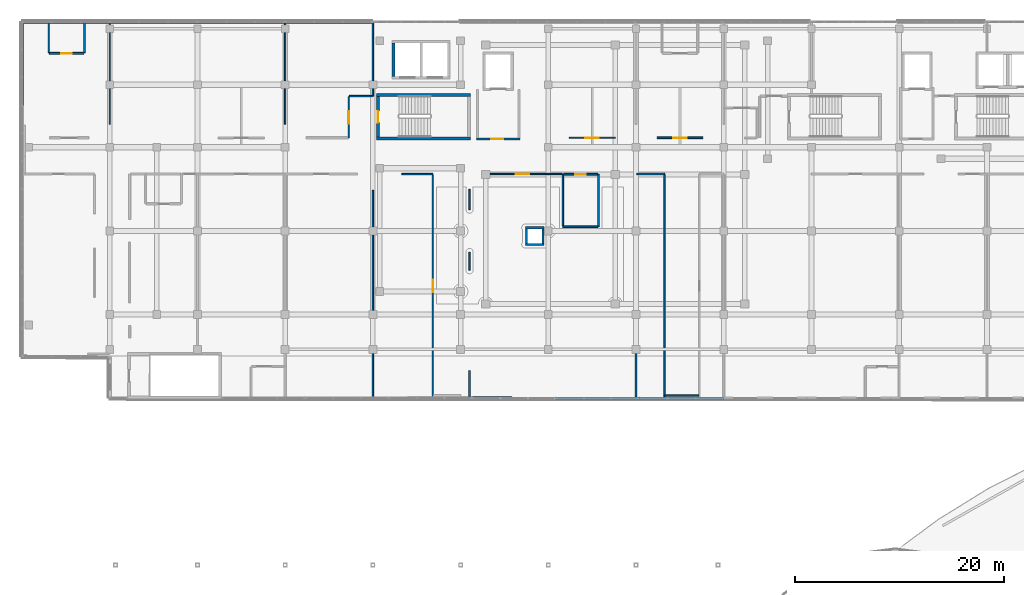
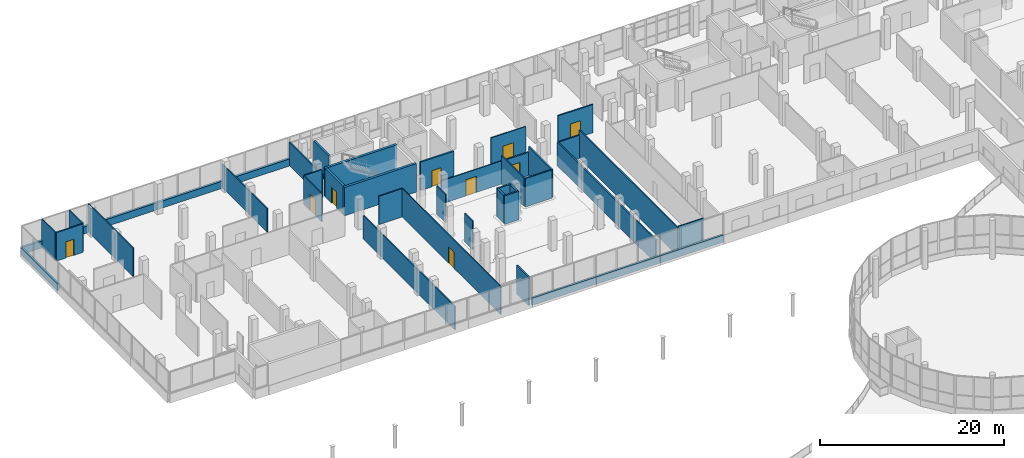
# One storey, part 85 of 101: 42 walls, 9 doors, 9 openings.
"""IFC4 building model written with IfcOpenShell, lengths in metres."""

import ifcopenshell
import ifcopenshell.guid

model = None  # the IFC model being written
_history = None  # IfcOwnerHistory: only IFC2X3 demands one
_inside = {}  # id of a spatial element -> (the spatial element, [elements in it])
_under = {}  # id of a project, library or spatial element -> (it, [spatial elements below it])
_declared = {}  # id of a project -> (the project, [libraries it declares])
_typed = {}  # id of a type object -> (the type object, [elements of that type])
_made_of = {}  # id of a material, layer set ... -> (it, [elements and type objects made of it])


def new_model(schema):
    """Start an empty IFC model of exactly this schema.

    Asked for "IFC4X3", IfcOpenShell would pick the latest addendum, in which some entities
    have other attributes; the version numbers below select the first issue.
    IFC2X3 requires an IfcOwnerHistory on every rooted entity: one is made here for all.
    """
    global model, _history
    if schema == "IFC4X3":
        model = ifcopenshell.file(schema_version=(4, 3, 0, 0))
    else:
        model = ifcopenshell.file(schema=schema)
    _inside.clear()
    _under.clear()
    _declared.clear()
    _typed.clear()
    _made_of.clear()
    _history = None
    if model.schema == "IFC2X3":
        org = make("IfcOrganization", Name="unknown")
        user = make(
            "IfcPersonAndOrganization",
            ThePerson=make("IfcPerson", FamilyName="unknown"),
            TheOrganization=org,
        )
        app = make(
            "IfcApplication",
            ApplicationDeveloper=org,
            Version="unknown",
            ApplicationFullName="unknown",
            ApplicationIdentifier="unknown",
        )
        _history = make(
            "IfcOwnerHistory",
            OwningUser=user,
            OwningApplication=app,
            ChangeAction="ADDED",
            CreationDate=0,
        )
    return model


def make(cls, **values):
    """One entity of the class cls with the attributes given. An attribute that is None is left unset."""
    return model.create_entity(
        cls, **{name: value for name, value in values.items() if value is not None}
    )


def rooted(cls, **values):
    """An entity with a GlobalId (a new one), such as an element, a storey or a relation."""
    return make(cls, GlobalId=ifcopenshell.guid.new(), OwnerHistory=_history, **values)


def si_unit(unit_type, name, prefix=None):
    """IfcSIUnit, for example si_unit("LENGTHUNIT", "METRE", prefix="MILLI")."""
    return make("IfcSIUnit", UnitType=unit_type, Prefix=prefix, Name=name)


def assignment(units):
    """IfcUnitAssignment: the units of a project."""
    return None if units is None else make("IfcUnitAssignment", Units=units)


def point(xyz):
    """IfcCartesianPoint."""
    return None if xyz is None else make("IfcCartesianPoint", Coordinates=xyz)


def direction(xyz):
    """IfcDirection."""
    return None if xyz is None else make("IfcDirection", DirectionRatios=xyz)


def frame(location, z_axis=None, x_axis=None):
    """IfcAxis2Placement3D, a coordinate frame: its origin and axes. An axis left out is left unset."""
    return make(
        "IfcAxis2Placement3D",
        Location=point(location),
        Axis=direction(z_axis),
        RefDirection=direction(x_axis),
    )


def frame_2d(location, x_axis=None):
    """IfcAxis2Placement2D, a coordinate frame in the plane: its origin and x axis."""
    return make(
        "IfcAxis2Placement2D", Location=point(location), RefDirection=direction(x_axis)
    )


def origin():
    """The frame at (0, 0, 0) with its axes left unset."""
    return frame((0.0, 0.0, 0.0))


def place(relative_to, where):
    """IfcLocalPlacement: puts the frame where relative to a parent placement (None: the world)."""
    return make(
        "IfcLocalPlacement", PlacementRelTo=relative_to, RelativePlacement=where
    )


def context(
    kind, dimensions, precision=None, world=None, true_north=None, identifier=None
):
    """IfcGeometricRepresentationContext, for example the 3D "Model" context."""
    return make(
        "IfcGeometricRepresentationContext",
        ContextIdentifier=identifier,
        ContextType=kind,
        CoordinateSpaceDimension=dimensions,
        Precision=precision,
        WorldCoordinateSystem=world,
        TrueNorth=true_north,
    )


def subcontext(parent, identifier, kind, view, scale=None):
    """IfcGeometricRepresentationSubContext, for example "Body" below "Model"."""
    return make(
        "IfcGeometricRepresentationSubContext",
        ContextIdentifier=identifier,
        ContextType=kind,
        ParentContext=parent,
        TargetScale=scale,
        TargetView=view,
    )


def project(units=None, contexts=None):
    """IfcProject with its units and contexts."""
    return rooted(
        "IfcProject",
        Name="project",
        RepresentationContexts=contexts,
        UnitsInContext=assignment(units),
    )


def spatial(cls, under=None, at=None, **own):
    """A site, building, storey or space (cls), placed at a placement, below another one or the project."""
    s = rooted(cls, ObjectPlacement=at, **own)
    if under is not None:
        _under.setdefault(under.id(), (under, []))[1].append(s)
    return s


def profile(cls, at=None, kind="AREA", **sizes):
    """A parametric profile (cls). Its sizes go by their IFC names, for example OverallWidth=200.0."""
    return make(cls, ProfileType=kind, Position=at, **sizes)


def rectangle(**sizes):
    """IfcRectangleProfileDef."""
    return profile("IfcRectangleProfileDef", **sizes)


def extrude(swept, where, along, depth):
    """IfcExtrudedAreaSolid: the profile swept, set in the frame where, extruded along a direction by depth."""
    return make(
        "IfcExtrudedAreaSolid",
        SweptArea=swept,
        Position=where,
        ExtrudedDirection=direction(along),
        Depth=depth,
    )


def shape(context_of_items, identifier, shape_type, items):
    """IfcShapeRepresentation: the items that make up one representation, for example the "Body"."""
    return make(
        "IfcShapeRepresentation",
        ContextOfItems=context_of_items,
        RepresentationIdentifier=identifier,
        RepresentationType=shape_type,
        Items=items,
    )


def material(Name=None, Category=None):
    """IfcMaterial."""
    return make("IfcMaterial", Name=Name, Category=Category)


def layer(
    of_material, thickness, ventilated=None, Name=None, Category=None, Priority=None
):
    """IfcMaterialLayer: one layer of a wall or slab, of a material (None: an air gap)."""
    return make(
        "IfcMaterialLayer",
        Material=of_material,
        LayerThickness=thickness,
        IsVentilated=ventilated,
        Name=Name,
        Category=Category,
        Priority=Priority,
    )


def layer_set(layers, Name=None):
    """IfcMaterialLayerSet."""
    return make("IfcMaterialLayerSet", MaterialLayers=layers, LayerSetName=Name)


def made_of(thing, what):
    """Note that an element or type object is made of a material, layer set ...; save() writes the relation."""
    if what is not None:
        _made_of.setdefault(what.id(), (what, []))[1].append(thing)
    return thing


def type_object(cls, material=None, **own):
    """A type object (cls), such as IfcWallType, which elements share."""
    return made_of(rooted(cls, **own), material)


def element(
    cls,
    number,
    at=None,
    inside=None,
    cuts=None,
    type_object=None,
    material=None,
    context=None,
    identifier="Body",
    shape_type=None,
    held_by="IfcProductDefinitionShape",
    body=None,
    shapes=None,
    **own,
):
    """One element of the class cls, such as IfcWall. Its Tag is "e" and its number.

    at: its placement. inside: the storey or other place that contains it. cuts: it is an
    opening in that element (IfcRelVoidsElement). A single representation is given by context,
    identifier, shape_type and body (its items); several are given by shapes. held_by: the class
    of the entity that holds the representations. save() writes the other relations.
    """
    e = rooted(cls, Tag="e%d" % number, ObjectPlacement=at, **own)
    if body is not None:
        shapes = [shape(context, identifier, shape_type, body)]
    if shapes is not None:
        e.Representation = make(held_by, Representations=shapes)
    if inside is not None:
        _inside.setdefault(inside.id(), (inside, []))[1].append(e)
    if cuts is not None:
        rooted(
            "IfcRelVoidsElement", RelatingBuildingElement=cuts, RelatedOpeningElement=e
        )
    if type_object is not None:
        _typed.setdefault(type_object.id(), (type_object, []))[1].append(e)
    return made_of(e, material)


def fill(opening, filler):
    """IfcRelFillsElement: the door or window that sits in an opening."""
    return rooted(
        "IfcRelFillsElement",
        RelatingOpeningElement=opening,
        RelatedBuildingElement=filler,
    )


def aggregate(whole, parts):
    """IfcRelAggregates: a whole, such as a stair, and the parts it consists of."""
    return rooted("IfcRelAggregates", RelatingObject=whole, RelatedObjects=parts)


def save(model, path):
    """Write the relations noted so far, then the file.

    IfcRelAggregates (storeys below a building ...), IfcRelContainedInSpatialStructure (elements
    in a storey), IfcRelDefinesByType, IfcRelAssociatesMaterial and IfcRelDeclares: one each for
    every whole, place, type object, material and project.
    """
    for whole, parts in _under.values():
        aggregate(whole, parts)
    for where, things in _inside.values():
        rooted(
            "IfcRelContainedInSpatialStructure",
            RelatedElements=things,
            RelatingStructure=where,
        )
    for kind, things in _typed.values():
        rooted("IfcRelDefinesByType", RelatedObjects=things, RelatingType=kind)
    for what, things in _made_of.values():
        rooted("IfcRelAssociatesMaterial", RelatedObjects=things, RelatingMaterial=what)
    for by, libraries in _declared.values():
        rooted("IfcRelDeclares", RelatingContext=by, RelatedDefinitions=libraries)
    model.write(path)


model = new_model("IFC4")

# Units and contexts
model_context = context("Model", 3, precision=1e-05, world=origin(), true_north=direction((0.0, 1.0)))
body_context = subcontext(model_context, "Body", "Model", "MODEL_VIEW")
ifc_project = project(units=[si_unit("LENGTHUNIT", "METRE"), si_unit("AREAUNIT", "SQUARE_METRE"), si_unit("VOLUMEUNIT", "CUBIC_METRE"), si_unit("PLANEANGLEUNIT", "RADIAN"), si_unit("MASSUNIT", "GRAM", prefix="KILO")], contexts=[model_context])

# Site, building, storey
site_placement = place(None, origin())
site = spatial("IfcSite", under=ifc_project, at=site_placement, CompositionType="ELEMENT")
building_placement = place(site_placement, origin())
building = spatial("IfcBuilding", under=site, at=building_placement, Name="Selatvlak General Hospital", CompositionType="ELEMENT")
storey_placement = place(building_placement, frame((0.0, 0.0, 19.199951171875)))
storey = spatial("IfcBuildingStorey", under=building, at=storey_placement, Name="L04", CompositionType="ELEMENT", Elevation=19.199951171875)

# Walls
ifc_material_1 = material(Name="Precast concrete C40/50 - white Bauhaus spandrel", Category="concrete")
ifc_layer_1 = layer(ifc_material_1, 0.280029296875, Name="Precast concrete C40/50 - white Bauhaus spandrel", Category="concrete")
ifc_layer_set_1 = layer_set([ifc_layer_1], Name="Precast concrete C40/50 - white Bauhaus spandrel")
wall_type_1 = type_object("IfcWallType", Name="WALL-EW-02", PredefinedType="SOLIDWALL", material=ifc_layer_set_1)
wall_1_placement = place(storey_placement, frame((14.39990234375, 112.0009765625, 0.0), z_axis=(0.0, 0.0, 1.0), x_axis=(0.0, 1.0, 0.0)))
element("IfcWall", 1, at=wall_1_placement, inside=storey, type_object=wall_type_1, Name="L04 Bauhaus spandrel sill wall 0429", PredefinedType="SOLIDWALL", context=body_context, shape_type="SweptSolid", body=[
    extrude(rectangle(XDim=7.85791015625, YDim=0.280029296875, at=frame_2d((3.928955078125, 0.0))), origin(), (0.0, 0.0, 1.0), 0.93994140625),
])
wall_2_placement = place(storey_placement, frame((14.5400390625, 119.9990234375, 0.0), z_axis=(0.0, 0.0, 1.0), x_axis=(1.0, 0.0, 0.0)))
element("IfcWall", 2, at=wall_2_placement, inside=storey, type_object=wall_type_1, Name="L04 Bauhaus spandrel sill wall 0430", PredefinedType="SOLIDWALL", context=body_context, shape_type="SweptSolid", body=[
    extrude(rectangle(XDim=8.238037109375, YDim=0.280029296875, at=frame_2d((4.119140625, 0.0))), origin(), (0.0, 0.0, 1.0), 0.93994140625),
])
for number, where, z_axis, x_axis, name in (
    (3, (22.781982421875, 119.9990234375, 0.0), (0.0, 0.0, 1.0), (1.0, 0.0, 0.0), "L04 Bauhaus spandrel sill wall 0431"),
    (4, (31.162109375, 119.9990234375, 0.0), (0.0, 0.0, 1.0), (1.0, 0.0, 0.0), "L04 Bauhaus spandrel sill wall 0432"),
    (5, (39.5419921875, 119.9990234375, 0.0), (0.0, 0.0, 1.0), (1.0, 0.0, 0.0), "L04 Bauhaus spandrel sill wall 0433"),
):
    element("IfcWall", number, at=place(storey_placement, frame(where, z_axis=z_axis, x_axis=x_axis)), inside=storey, type_object=wall_type_1, Name=name, PredefinedType="SOLIDWALL", context=body_context, shape_type="SweptSolid", body=[
        extrude(rectangle(XDim=8.3759765625, YDim=0.280029296875, at=frame_2d((4.18798828125, 0.0))), origin(), (0.0, 0.0, 1.0), 0.93994140625),
    ])
wall_3_placement = place(storey_placement, frame((81.56591796875, 83.9609375, 0.0), z_axis=(0.0, 0.0, 1.0), x_axis=(-0.999999794844, 0.000640556238, 0.0)))
element("IfcWall", 6, at=wall_3_placement, inside=storey, type_object=wall_type_1, Name="L04 Bauhaus spandrel sill wall 0467", PredefinedType="SOLIDWALL", context=body_context, shape_type="SweptSolid", body=[
    extrude(rectangle(XDim=8.00390625, YDim=0.280029296875, at=frame_2d((4.001953125, 0.0))), origin(), (0.0, 0.0, 1.0), 0.93994140625),
])
for number, where, z_axis, x_axis, name in (
    (7, (73.55810546875, 83.966064453125, 0.0), (0.0, 0.0, 1.0), (-0.999999732057, 0.000732041896, 0.0), "L04 Bauhaus spandrel sill wall 0468"),
    (8, (65.550048828125, 83.971923828125, 0.0), (0.0, 0.0, 1.0), (-0.999999794856, 0.000640536699, 0.0), "L04 Bauhaus spandrel sill wall 0469"),
):
    element("IfcWall", number, at=place(storey_placement, frame(where, z_axis=z_axis, x_axis=x_axis)), inside=storey, type_object=wall_type_1, Name=name, PredefinedType="SOLIDWALL", context=body_context, shape_type="SweptSolid", body=[
        extrude(rectangle(XDim=8.004150390625, YDim=0.280029296875, at=frame_2d((4.001953125, 0.0))), origin(), (0.0, 0.0, 1.0), 0.93994140625),
    ])

# Wall, opening, door
ifc_material_2 = material(Name="Concrete C40/50", Category="concrete")
ifc_layer_2 = layer(ifc_material_2, 0.199951171875, Name="Concrete C40/50", Category="concrete")
ifc_layer_set_2 = layer_set([ifc_layer_2], Name="Concrete C40/50")
wall_type_2 = type_object("IfcWallType", Name="WALL-IW-02", PredefinedType="SOLIDWALL", material=ifc_layer_set_2)
wall_4_placement = place(storey_placement, frame((57.89990234375, 108.800048828125, 0.0), z_axis=(0.0, 0.0, 1.0), x_axis=(1.0, 0.0, 0.0)))
wall_4 = element("IfcWall", 9, at=wall_4_placement, inside=storey, type_object=wall_type_2, Name="Firefighting lobby C1 wall L04 S", PredefinedType="SOLIDWALL", context=body_context, shape_type="SweptSolid", body=[
    extrude(rectangle(XDim=4.2001953125, YDim=0.199951171875, at=frame_2d((2.10009765625, 0.0))), origin(), (0.0, 0.0, 1.0), 3.77001953125),
])
opening_1_placement = place(wall_4_placement, frame((1.425048828125, 0.0, 0.0)))
opening_1 = element("IfcOpeningElement", 10, at=opening_1_placement, cuts=wall_4, Name="Opening D-06", PredefinedType="OPENING", context=body_context, shape_type="SweptSolid", body=[
    extrude(rectangle(XDim=1.14990234375, YDim=2.14990234375, at=frame_2d((0.574951171875, 1.074951171875))), frame((0.0, 0.10986328125, 0.0), z_axis=(0.0, -1.0, 0.0), x_axis=(1.0, 0.0, 0.0)), (0.0, 0.0, 1.0), 0.219970703125),
])
ifc_material_3 = material(Name="Firefighting lobby fire door")
door_type_1 = type_object("IfcDoorType", Name="DOOR-D-06", OperationType="NOTDEFINED", PredefinedType="DOOR", material=ifc_material_3)
door_1_placement = place(opening_1_placement, origin())
door_1 = element("IfcDoor", 11, at=door_1_placement, inside=storey, type_object=door_type_1, Name="Firefighting lobby C1 door on L04", OperationType="SINGLE_SWING_LEFT", OverallHeight=2.14990234375, OverallWidth=1.14990234375, PredefinedType="DOOR", context=body_context, shape_type="SweptSolid", body=[
    extrude(rectangle(XDim=1.14990234375, YDim=2.14990234375, at=frame_2d((0.574951171875, 1.074951171875))), frame((0.0, 0.02490234375, 0.0), z_axis=(0.0, -1.0, 0.0), x_axis=(1.0, 0.0, 0.0)), (0.0, 0.0, 1.0), 0.050048828125),
])
fill(opening_1, door_1)

# Walls
wall_5_placement = place(storey_placement, frame((62.60009765625, 98.699951171875, 0.0), z_axis=(0.0, 0.0, 1.0), x_axis=(1.0, 0.0, 0.0)))
element("IfcWall", 12, at=wall_5_placement, inside=storey, type_object=wall_type_2, Name="Service riser 1 shaft wall L04 S", PredefinedType="SOLIDWALL", context=body_context, shape_type="SweptSolid", body=[
    extrude(rectangle(XDim=1.7998046875, YDim=0.199951171875, at=frame_2d((0.89990234375, 0.0))), origin(), (0.0, 0.0, 1.0), 3.77001953125),
])
wall_6_placement = place(storey_placement, frame((64.300048828125, 98.800048828125, 0.0), z_axis=(0.0, 0.0, 1.0), x_axis=(0.0, 1.0, 0.0)))
element("IfcWall", 13, at=wall_6_placement, inside=storey, type_object=wall_type_2, Name="Service riser 1 shaft wall L04 E", PredefinedType="SOLIDWALL", context=body_context, shape_type="SweptSolid", body=[
    extrude(rectangle(XDim=1.39990234375, YDim=0.199951171875, at=frame_2d((0.699951171875, 0.0))), origin(), (0.0, 0.0, 1.0), 3.77001953125),
])
wall_7_placement = place(storey_placement, frame((64.39990234375, 100.300048828125, 0.0), z_axis=(0.0, 0.0, 1.0), x_axis=(-1.0, 0.0, 0.0)))
element("IfcWall", 14, at=wall_7_placement, inside=storey, type_object=wall_type_2, Name="Service riser 1 shaft wall L04 N", PredefinedType="SOLIDWALL", context=body_context, shape_type="SweptSolid", body=[
    extrude(rectangle(XDim=1.7998046875, YDim=0.199951171875, at=frame_2d((0.89990234375, 0.0))), origin(), (0.0, 0.0, 1.0), 3.77001953125),
])
wall_8_placement = place(storey_placement, frame((62.699951171875, 100.199951171875, 0.0), z_axis=(0.0, 0.0, 1.0), x_axis=(0.0, -1.0, 0.0)))
element("IfcWall", 15, at=wall_8_placement, inside=storey, type_object=wall_type_2, Name="Service riser 1 shaft wall L04 W", PredefinedType="SOLIDWALL", context=body_context, shape_type="SweptSolid", body=[
    extrude(rectangle(XDim=1.39990234375, YDim=0.199951171875, at=frame_2d((0.699951171875, 0.0))), origin(), (0.0, 0.0, 1.0), 3.77001953125),
])
ifc_material_4 = material(Name="Acoustic gypsum stud partition")
ifc_layer_3 = layer(ifc_material_4, 0.179931640625, Name="Acoustic gypsum stud partition")
ifc_layer_set_3 = layer_set([ifc_layer_3], Name="Acoustic gypsum stud partition")
wall_type_3 = type_object("IfcWallType", Name="WALL-PT-01", PredefinedType="PARTITIONING", material=ifc_layer_set_3)
wall_9_placement = place(storey_placement, frame((69.60009765625, 105.419921875, 0.0), z_axis=(0.0, 0.0, 1.0), x_axis=(0.0, -1.0, 0.0)))
element("IfcWall", 16, at=wall_9_placement, inside=storey, type_object=wall_type_3, Name="L04 clinical partition PT-L04-1650", PredefinedType="PARTITIONING", context=body_context, shape_type="SweptSolid", body=[
    extrude(rectangle(XDim=5.02001953125, YDim=0.179931640625, at=frame_2d((2.510009765625, 0.0))), origin(), (0.0, 0.0, 1.0), 3.77001953125),
])

# Wall, opening, door
wall_10_placement = place(storey_placement, frame((66.263916015625, 105.419921875, 0.0), z_axis=(0.0, 0.0, 1.0), x_axis=(1.0, 0.0, 0.0)))
wall_10 = element("IfcWall", 17, at=wall_10_placement, inside=storey, type_object=wall_type_3, Name="L04 clinical partition PT-L04-1653", PredefinedType="PARTITIONING", context=body_context, shape_type="SweptSolid", body=[
    extrude(rectangle(XDim=3.25, YDim=0.179931640625, at=frame_2d((1.625, 0.0))), origin(), (0.0, 0.0, 1.0), 3.070068359375),
])
opening_2_placement = place(wall_10_placement, frame((1.125, 0.0, 0.0)))
opening_2 = element("IfcOpeningElement", 18, at=opening_2_placement, cuts=wall_10, Name="Opening D-03", PredefinedType="OPENING", context=body_context, shape_type="SweptSolid", body=[
    extrude(rectangle(XDim=1.0, YDim=2.10009765625, at=frame_2d((0.5, 1.050048828125))), frame((0.0, 0.099853515625, 0.0), z_axis=(0.0, -1.0, 0.0), x_axis=(1.0, 0.0, 0.0)), (0.0, 0.0, 1.0), 0.199951171875),
])
ifc_material_5 = material(Name="Accessible WC door")
door_type_2 = type_object("IfcDoorType", Name="DOOR-D-03", OperationType="NOTDEFINED", PredefinedType="DOOR", material=ifc_material_5)
door_2_placement = place(opening_2_placement, origin())
door_2 = element("IfcDoor", 19, at=door_2_placement, inside=storey, type_object=door_type_2, Name="L04 Accessible WC door", OperationType="SINGLE_SWING_RIGHT", OverallHeight=2.10009765625, OverallWidth=1.0, PredefinedType="DOOR", context=body_context, shape_type="SweptSolid", body=[
    extrude(rectangle(XDim=1.0, YDim=2.10009765625, at=frame_2d((0.5, 1.050048828125))), frame((0.0, 0.02490234375, 0.0), z_axis=(0.0, -1.0, 0.0), x_axis=(1.0, 0.0, 0.0)), (0.0, 0.0, 1.0), 0.050048828125),
])
fill(opening_2, door_2)

# Wall
wall_11_placement = place(storey_placement, frame((73.199951171875, 105.43994140625, 0.0), z_axis=(0.0, 0.0, 1.0), x_axis=(0.0, -1.0, 0.0)))
element("IfcWall", 20, at=wall_11_placement, inside=storey, type_object=wall_type_3, Name="L04 clinical partition PT-L04-1720", PredefinedType="PARTITIONING", context=body_context, shape_type="SweptSolid", body=[
    extrude(rectangle(XDim=21.429931640625, YDim=0.179931640625, at=frame_2d((10.71484375, 0.0))), origin(), (0.0, 0.0, 1.0), 3.1201171875),
])

# Wall, opening, door
wall_12_placement = place(storey_placement, frame((17.02001953125, 116.9990234375, 0.0), z_axis=(0.0, 0.0, 1.0), x_axis=(1.0, 0.0, 0.0)))
wall_12 = element("IfcWall", 21, at=wall_12_placement, inside=storey, type_object=wall_type_3, Name="L04 clinical partition PT-L04-1785", PredefinedType="PARTITIONING", context=body_context, shape_type="SweptSolid", body=[
    extrude(rectangle(XDim=3.300048828125, YDim=0.179931640625, at=frame_2d((1.64990234375, 0.0))), origin(), (0.0, 0.0, 1.0), 3.77001953125),
])
opening_3_placement = place(wall_12_placement, frame((1.14990234375, 0.0, 0.0)))
opening_3 = element("IfcOpeningElement", 22, at=opening_3_placement, cuts=wall_12, Name="Opening D-21", PredefinedType="OPENING", context=body_context, shape_type="SweptSolid", body=[
    extrude(rectangle(XDim=1.0, YDim=2.14990234375, at=frame_2d((0.5, 1.074951171875))), frame((0.0, 0.099853515625, 0.0), z_axis=(0.0, -1.0, 0.0), x_axis=(1.0, 0.0, 0.0)), (0.0, 0.0, 1.0), 0.199951171875),
])
ifc_material_6 = material(Name="Laboratory fire door")
door_type_3 = type_object("IfcDoorType", Name="DOOR-D-21", OperationType="NOTDEFINED", PredefinedType="DOOR", material=ifc_material_6)
door_3_placement = place(opening_3_placement, origin())
door_3 = element("IfcDoor", 23, at=door_3_placement, inside=storey, type_object=door_type_3, Name="L04 Patient En-Suite WC 26 door", OperationType="SINGLE_SWING_LEFT", OverallHeight=2.14990234375, OverallWidth=1.0, PredefinedType="DOOR", context=body_context, shape_type="SweptSolid", body=[
    extrude(rectangle(XDim=1.0, YDim=2.14990234375, at=frame_2d((0.5, 1.074951171875))), frame((0.0, 0.02490234375, 0.0), z_axis=(0.0, -1.0, 0.0), x_axis=(1.0, 0.0, 0.0)), (0.0, 0.0, 1.0), 0.050048828125),
])
fill(opening_3, door_3)

# Walls
ifc_layer_4 = layer(ifc_material_4, 0.1650390625, Name="Acoustic gypsum stud partition")
ifc_layer_set_4 = layer_set([ifc_layer_4], Name="Acoustic gypsum stud partition")
wall_type_4 = type_object("IfcWallType", Name="WALL-PT-02", PredefinedType="PARTITIONING", material=ifc_layer_set_4)
wall_13_placement = place(storey_placement, frame((69.513916015625, 100.39990234375, 0.0), z_axis=(0.0, 0.0, 1.0), x_axis=(-1.0, 0.0, 0.0)))
element("IfcWall", 24, at=wall_13_placement, inside=storey, type_object=wall_type_4, Name="L04 clinical partition PT-L04-1651", PredefinedType="PARTITIONING", context=body_context, shape_type="SweptSolid", body=[
    extrude(rectangle(XDim=3.31396484375, YDim=0.1650390625, at=frame_2d((1.656982421875, 0.0))), origin(), (0.0, 0.0, 1.0), 3.77001953125),
])
wall_14_placement = place(storey_placement, frame((57.260009765625, 84.01904296875, 0.0), z_axis=(0.0, 0.0, 1.0), x_axis=(0.0, 1.0, 0.0)))
element("IfcWall", 25, at=wall_14_placement, inside=storey, type_object=wall_type_4, Name="L04 clinical partition PT-L04-1716", PredefinedType="PARTITIONING", context=body_context, shape_type="SweptSolid", body=[
    extrude(rectangle(XDim=2.595947265625, YDim=0.1650390625, at=frame_2d((1.2978515625, 0.0))), origin(), (0.0, 0.0, 1.0), 3.77001953125),
])
wall_15_placement = place(storey_placement, frame((73.285888671875, 105.43994140625, 0.0), z_axis=(0.0, 0.0, 1.0), x_axis=(1.0, 0.0, 0.0)))
element("IfcWall", 26, at=wall_15_placement, inside=storey, type_object=wall_type_4, Name="L04 clinical partition PT-L04-1721", PredefinedType="PARTITIONING", context=body_context, shape_type="SweptSolid", body=[
    extrude(rectangle(XDim=2.654052734375, YDim=0.1650390625, at=frame_2d((1.3271484375, 0.0))), origin(), (0.0, 0.0, 1.0), 3.070068359375),
])
wall_16_placement = place(storey_placement, frame((20.3798828125, 117.05908203125, 0.0), z_axis=(0.0, 0.0, 1.0), x_axis=(0.0, 1.0, 0.0)))
element("IfcWall", 27, at=wall_16_placement, inside=storey, type_object=wall_type_4, Name="L04 clinical partition PT-L04-1786", PredefinedType="PARTITIONING", context=body_context, shape_type="SweptSolid", body=[
    extrude(rectangle(XDim=2.89794921875, YDim=0.1650390625, at=frame_2d((1.448974609375, 0.0))), origin(), (0.0, 0.0, 1.0), 3.77001953125),
])
wall_17_placement = place(storey_placement, frame((48.0, 119.988037109375, 0.0), z_axis=(0.0, 0.0, 1.0), x_axis=(0.0, -1.0, 0.0)))
element("IfcWall", 28, at=wall_17_placement, inside=storey, type_object=wall_type_4, Name="L04 clinical partition PT-L04-1796", PredefinedType="PARTITIONING", context=body_context, shape_type="SweptSolid", body=[
    extrude(rectangle(XDim=7.088134765625, YDim=0.1650390625, at=frame_2d((3.5439453125, 0.0))), origin(), (0.0, 0.0, 1.0), 3.1201171875),
])

# Wall, opening, door
wall_18_placement = place(storey_placement, frame((79.589111328125, 108.909912109375, 0.0), z_axis=(0.0, 0.0, 1.0), x_axis=(-1.0, 0.0, 0.0)))
wall_18 = element("IfcWall", 29, at=wall_18_placement, inside=storey, type_object=wall_type_4, Name="L04 clinical partition PT-L04-1801", PredefinedType="PARTITIONING", context=body_context, shape_type="SweptSolid", body=[
    extrude(rectangle(XDim=4.378173828125, YDim=0.1650390625, at=frame_2d((2.18896484375, 0.0))), origin(), (0.0, 0.0, 1.0), 3.77001953125),
])
opening_4_placement = place(wall_18_placement, frame((1.5390625, 0.0, 0.0)))
opening_4 = element("IfcOpeningElement", 30, at=opening_4_placement, cuts=wall_18, Name="Opening D-09", PredefinedType="OPENING", context=body_context, shape_type="SweptSolid", body=[
    extrude(rectangle(XDim=1.300048828125, YDim=2.14990234375, at=frame_2d((0.64990234375, 1.074951171875))), frame((0.0, 0.092529296875, 0.0), z_axis=(0.0, -1.0, 0.0), x_axis=(1.0, 0.0, 0.0)), (0.0, 0.0, 1.0), 0.18505859375),
])
ifc_material_7 = material(Name="Outpatient procedure door")
door_type_4 = type_object("IfcDoorType", Name="DOOR-D-09", OperationType="NOTDEFINED", PredefinedType="DOOR", material=ifc_material_7)
door_4_placement = place(opening_4_placement, origin())
door_4 = element("IfcDoor", 31, at=door_4_placement, inside=storey, type_object=door_type_4, Name="L04 Single Patient Room 32 door", OperationType="SINGLE_SWING_LEFT", OverallHeight=2.14990234375, OverallWidth=1.300048828125, PredefinedType="DOOR", context=body_context, shape_type="SweptSolid", body=[
    extrude(rectangle(XDim=1.300048828125, YDim=2.14990234375, at=frame_2d((0.64990234375, 1.074951171875))), frame((0.0, 0.02490234375, 0.0), z_axis=(0.0, -1.0, 0.0), x_axis=(1.0, 0.0, 0.0)), (0.0, 0.0, 1.0), 0.050048828125),
])
fill(opening_4, door_4)

# Walls
ifc_layer_5 = layer(ifc_material_4, 0.14990234375, Name="Acoustic gypsum stud partition")
ifc_layer_set_5 = layer_set([ifc_layer_5], Name="Acoustic gypsum stud partition")
wall_type_5 = type_object("IfcWallType", Name="WALL-PT-03", PredefinedType="PARTITIONING", material=ifc_layer_set_5)
wall_19_placement = place(storey_placement, frame((48.0, 103.887939453125, 0.0), z_axis=(0.0, 0.0, 1.0), x_axis=(0.0, -1.0, 0.0)))
element("IfcWall", 32, at=wall_19_placement, inside=storey, type_object=wall_type_5, Name="L04 clinical partition PT-L04-1712", PredefinedType="PARTITIONING", context=body_context, shape_type="SweptSolid", body=[
    extrude(rectangle(XDim=19.863037109375, YDim=0.14990234375, at=frame_2d((9.931640625, 0.0))), origin(), (0.0, 0.0, 1.0), 3.1201171875),
])
wall_20_placement = place(storey_placement, frame((57.260009765625, 96.235107421875, 0.0), z_axis=(0.0, 0.0, 1.0), x_axis=(0.0, 1.0, 0.0)))
element("IfcWall", 33, at=wall_20_placement, inside=storey, type_object=wall_type_5, Name="L04 clinical partition PT-L04-1717", PredefinedType="PARTITIONING", context=body_context, shape_type="SweptSolid", body=[
    extrude(rectangle(XDim=1.72998046875, YDim=0.14990234375, at=frame_2d((0.864990234375, 0.0))), origin(), (0.0, 0.0, 1.0), 3.77001953125),
])
wall_21_placement = place(storey_placement, frame((75.93994140625, 105.361083984375, 0.0), z_axis=(0.0, 0.0, 1.0), x_axis=(0.0, -1.0, 0.0)))
element("IfcWall", 34, at=wall_21_placement, inside=storey, type_object=wall_type_5, Name="L04 clinical partition PT-L04-1722", PredefinedType="PARTITIONING", context=body_context, shape_type="SweptSolid", body=[
    extrude(rectangle(XDim=21.35107421875, YDim=0.14990234375, at=frame_2d((10.675537109375, 0.0))), origin(), (0.0, 0.0, 1.0), 3.77001953125),
])
wall_22_placement = place(storey_placement, frame((47.922119140625, 112.89990234375, 0.0), z_axis=(0.0, 0.0, 1.0), x_axis=(-1.0, 0.0, 0.0)))
element("IfcWall", 35, at=wall_22_placement, inside=storey, type_object=wall_type_5, Name="L04 clinical partition PT-L04-1797", PredefinedType="PARTITIONING", context=body_context, shape_type="SweptSolid", body=[
    extrude(rectangle(XDim=2.172119140625, YDim=0.14990234375, at=frame_2d((1.0859375, 0.0))), origin(), (0.0, 0.0, 1.0), 3.77001953125),
])
ifc_material_8 = material(Name="Moisture-resistant clinical partition")
ifc_layer_6 = layer(ifc_material_8, 0.135009765625, Name="Moisture-resistant clinical partition")
ifc_layer_set_6 = layer_set([ifc_layer_6], Name="Moisture-resistant clinical partition")
wall_type_6 = type_object("IfcWallType", Name="WALL-PT-04", PredefinedType="PARTITIONING", material=ifc_layer_set_6)
wall_23_placement = place(storey_placement, frame((66.199951171875, 100.47900390625, 0.0), z_axis=(0.0, 0.0, 1.0), x_axis=(0.0, 1.0, 0.0)))
element("IfcWall", 36, at=wall_23_placement, inside=storey, type_object=wall_type_6, Name="L04 clinical partition PT-L04-1652", PredefinedType="PARTITIONING", context=body_context, shape_type="SweptSolid", body=[
    extrude(rectangle(XDim=4.94091796875, YDim=0.135009765625, at=frame_2d((2.470458984375, 0.0))), origin(), (0.0, 0.0, 1.0), 3.77001953125),
])
wall_24_placement = place(storey_placement, frame((50.784912109375, 105.43994140625, 0.0), z_axis=(0.0, 0.0, 1.0), x_axis=(1.0, 0.0, 0.0)))
element("IfcWall", 37, at=wall_24_placement, inside=storey, type_object=wall_type_6, Name="L04 clinical partition PT-L04-1713", PredefinedType="PARTITIONING", context=body_context, shape_type="SweptSolid", body=[
    extrude(rectangle(XDim=2.955078125, YDim=0.135009765625, at=frame_2d((1.4775390625, 0.0))), origin(), (0.0, 0.0, 1.0), 3.77001953125),
])
wall_25_placement = place(storey_placement, frame((57.260009765625, 102.034912109375, 0.0), z_axis=(0.0, 0.0, 1.0), x_axis=(0.0, 1.0, 0.0)))
element("IfcWall", 38, at=wall_25_placement, inside=storey, type_object=wall_type_6, Name="L04 clinical partition PT-L04-1718", PredefinedType="PARTITIONING", context=body_context, shape_type="SweptSolid", body=[
    extrude(rectangle(XDim=1.93017578125, YDim=0.135009765625, at=frame_2d((0.965087890625, 0.0))), origin(), (0.0, 0.0, 1.0), 3.77001953125),
])
wall_26_placement = place(storey_placement, frame((76.010986328125, 84.239990234375, 0.0), z_axis=(0.0, 0.0, 1.0), x_axis=(1.0, 0.0, 0.0)))
element("IfcWall", 39, at=wall_26_placement, inside=storey, type_object=wall_type_6, Name="L04 clinical partition PT-L04-1723", PredefinedType="PARTITIONING", context=body_context, shape_type="SweptSolid", body=[
    extrude(rectangle(XDim=3.18896484375, YDim=0.135009765625, at=frame_2d((1.594482421875, 0.0))), origin(), (0.0, 0.0, 1.0), 3.77001953125),
])
wall_27_placement = place(storey_placement, frame((16.9599609375, 119.95703125, 0.0), z_axis=(0.0, 0.0, 1.0), x_axis=(0.0, -1.0, 0.0)))
element("IfcWall", 40, at=wall_27_placement, inside=storey, type_object=wall_type_6, Name="L04 clinical partition PT-L04-1784", PredefinedType="PARTITIONING", context=body_context, shape_type="SweptSolid", body=[
    extrude(rectangle(XDim=2.89794921875, YDim=0.135009765625, at=frame_2d((1.448974609375, 0.0))), origin(), (0.0, 0.0, 1.0), 3.77001953125),
])
wall_28_placement = place(storey_placement, frame((22.800048828125, 119.95703125, 0.0), z_axis=(0.0, 0.0, 1.0), x_axis=(0.0, -1.0, 0.0)))
element("IfcWall", 41, at=wall_28_placement, inside=storey, type_object=wall_type_6, Name="L04 clinical partition PT-L04-1787", PredefinedType="PARTITIONING", context=body_context, shape_type="SweptSolid", body=[
    extrude(rectangle(XDim=9.7470703125, YDim=0.135009765625, at=frame_2d((4.87353515625, 0.0))), origin(), (0.0, 0.0, 1.0), 3.77001953125),
])
wall_29_placement = place(storey_placement, frame((39.60009765625, 119.95703125, 0.0), z_axis=(0.0, 0.0, 1.0), x_axis=(0.0, -1.0, 0.0)))
element("IfcWall", 42, at=wall_29_placement, inside=storey, type_object=wall_type_6, Name="L04 clinical partition PT-L04-1793", PredefinedType="PARTITIONING", context=body_context, shape_type="SweptSolid", body=[
    extrude(rectangle(XDim=9.7470703125, YDim=0.135009765625, at=frame_2d((4.87353515625, 0.0))), origin(), (0.0, 0.0, 1.0), 3.1201171875),
])

# Wall, opening, door
ifc_layer_7 = layer(ifc_material_8, 0.1201171875, Name="Moisture-resistant clinical partition")
ifc_layer_set_7 = layer_set([ifc_layer_7], Name="Moisture-resistant clinical partition")
wall_type_7 = type_object("IfcWallType", Name="WALL-PT-05", PredefinedType="PARTITIONING", material=ifc_layer_set_7)
wall_30_placement = place(storey_placement, frame((53.739990234375, 105.3759765625, 0.0), z_axis=(0.0, 0.0, 1.0), x_axis=(0.0, -1.0, 0.0)))
wall_30 = element("IfcWall", 43, at=wall_30_placement, inside=storey, type_object=wall_type_7, Name="L04 clinical partition PT-L04-1714", PredefinedType="PARTITIONING", context=body_context, shape_type="SweptSolid", body=[
    extrude(rectangle(XDim=21.35498046875, YDim=0.1201171875, at=frame_2d((10.677490234375, 0.0))), origin(), (0.0, 0.0, 1.0), 3.77001953125),
])
opening_5_placement = place(wall_30_placement, frame((10.077880859375, 0.0, 0.0)))
opening_5 = element("IfcOpeningElement", 44, at=opening_5_placement, cuts=wall_30, Name="Opening D-23", PredefinedType="OPENING", context=body_context, shape_type="SweptSolid", body=[
    extrude(rectangle(XDim=1.199951171875, YDim=2.14990234375, at=frame_2d((0.60009765625, 1.074951171875))), frame((0.0, 0.070068359375, 0.0), z_axis=(0.0, -1.0, 0.0), x_axis=(1.0, 0.0, 0.0)), (0.0, 0.0, 1.0), 0.14013671875),
])
ifc_material_9 = material(Name="Endoscopy clinical door")
door_type_5 = type_object("IfcDoorType", Name="DOOR-D-23", OperationType="NOTDEFINED", PredefinedType="DOOR", material=ifc_material_9)
door_5_placement = place(opening_5_placement, origin())
door_5 = element("IfcDoor", 45, at=door_5_placement, inside=storey, type_object=door_type_5, Name="L04 Lactation Consultation Clinic 11 door", OperationType="SINGLE_SWING_LEFT", OverallHeight=2.14990234375, OverallWidth=1.199951171875, PredefinedType="DOOR", context=body_context, shape_type="SweptSolid", body=[
    extrude(rectangle(XDim=1.199951171875, YDim=2.14990234375, at=frame_2d((0.60009765625, 1.074951171875))), frame((0.0, 0.02490234375, 0.0), z_axis=(0.0, -1.0, 0.0), x_axis=(1.0, 0.0, 0.0)), (0.0, 0.0, 1.0), 0.050048828125),
])
fill(opening_5, door_5)

wall_31_placement = place(storey_placement, frame((58.534912109375, 105.43994140625, 0.0), z_axis=(0.0, 0.0, 1.0), x_axis=(1.0, 0.0, 0.0)))
wall_31 = element("IfcWall", 46, at=wall_31_placement, inside=storey, type_object=wall_type_7, Name="L04 clinical partition PT-L04-1719", PredefinedType="PARTITIONING", context=body_context, shape_type="SweptSolid", body=[
    extrude(rectangle(XDim=7.585205078125, YDim=0.1201171875, at=frame_2d((3.79248046875, 0.0))), origin(), (0.0, 0.0, 1.0), 3.070068359375),
])
opening_6_placement = place(wall_31_placement, frame((3.14306640625, 0.0, 0.0)))
opening_6 = element("IfcOpeningElement", 47, at=opening_6_placement, cuts=wall_31, Name="Opening D-24", PredefinedType="OPENING", context=body_context, shape_type="SweptSolid", body=[
    extrude(rectangle(XDim=1.300048828125, YDim=2.14990234375, at=frame_2d((0.64990234375, 1.074951171875))), frame((0.0, 0.070068359375, 0.0), z_axis=(0.0, -1.0, 0.0), x_axis=(1.0, 0.0, 0.0)), (0.0, 0.0, 1.0), 0.14013671875),
])
ifc_material_10 = material(Name="Oncology bay door")
door_type_6 = type_object("IfcDoorType", Name="DOOR-D-24", OperationType="NOTDEFINED", PredefinedType="DOOR", material=ifc_material_10)
door_6_placement = place(opening_6_placement, origin())
door_6 = element("IfcDoor", 48, at=door_6_placement, inside=storey, type_object=door_type_6, Name="L04 Multidisciplinary Rehabilitation Gymnasium 12 door", OperationType="SINGLE_SWING_RIGHT", OverallHeight=2.14990234375, OverallWidth=1.300048828125, PredefinedType="DOOR", context=body_context, shape_type="SweptSolid", body=[
    extrude(rectangle(XDim=1.300048828125, YDim=2.14990234375, at=frame_2d((0.64990234375, 1.074951171875))), frame((0.0, 0.02490234375, 0.0), z_axis=(0.0, -1.0, 0.0), x_axis=(1.0, 0.0, 0.0)), (0.0, 0.0, 1.0), 0.050048828125),
])
fill(opening_6, door_6)

wall_32_placement = place(storey_placement, frame((45.68994140625, 112.840087890625, 0.0), z_axis=(0.0, 0.0, 1.0), x_axis=(0.0, -1.0, 0.0)))
wall_32 = element("IfcWall", 49, at=wall_32_placement, inside=storey, type_object=wall_type_7, Name="L04 clinical partition PT-L04-1794", PredefinedType="PARTITIONING", context=body_context, shape_type="SweptSolid", body=[
    extrude(rectangle(XDim=3.93017578125, YDim=0.1201171875, at=frame_2d((1.965087890625, 0.0))), origin(), (0.0, 0.0, 1.0), 3.77001953125),
])
opening_7_placement = place(wall_32_placement, frame((1.364990234375, 0.0, 0.0)))
opening_7 = element("IfcOpeningElement", 50, at=opening_7_placement, cuts=wall_32, Name="Opening D-23", PredefinedType="OPENING", context=body_context, shape_type="SweptSolid", body=[
    extrude(rectangle(XDim=1.199951171875, YDim=2.14990234375, at=frame_2d((0.60009765625, 1.074951171875))), frame((0.0, 0.070068359375, 0.0), z_axis=(0.0, -1.0, 0.0), x_axis=(1.0, 0.0, 0.0)), (0.0, 0.0, 1.0), 0.14013671875),
])
door_7_placement = place(opening_7_placement, origin())
door_7 = element("IfcDoor", 51, at=door_7_placement, inside=storey, type_object=door_type_5, Name="L04 Lactation Consultation Clinic 29 door", OperationType="SINGLE_SWING_LEFT", OverallHeight=2.14990234375, OverallWidth=1.199951171875, PredefinedType="DOOR", context=body_context, shape_type="SweptSolid", body=[
    extrude(rectangle(XDim=1.199951171875, YDim=2.14990234375, at=frame_2d((0.60009765625, 1.074951171875))), frame((0.0, 0.02490234375, 0.0), z_axis=(0.0, -1.0, 0.0), x_axis=(1.0, 0.0, 0.0)), (0.0, 0.0, 1.0), 0.050048828125),
])
fill(opening_7, door_7)

wall_33_placement = place(storey_placement, frame((71.18896484375, 108.909912109375, 0.0), z_axis=(0.0, 0.0, 1.0), x_axis=(-1.0, 0.0, 0.0)))
wall_33 = element("IfcWall", 52, at=wall_33_placement, inside=storey, type_object=wall_type_7, Name="L04 clinical partition PT-L04-1799", PredefinedType="PARTITIONING", context=body_context, shape_type="SweptSolid", body=[
    extrude(rectangle(XDim=4.3779296875, YDim=0.1201171875, at=frame_2d((2.18896484375, 0.0))), origin(), (0.0, 0.0, 1.0), 3.77001953125),
])
opening_8_placement = place(wall_33_placement, frame((1.5390625, 0.0, 0.0)))
opening_8 = element("IfcOpeningElement", 53, at=opening_8_placement, cuts=wall_33, Name="Opening D-24", PredefinedType="OPENING", context=body_context, shape_type="SweptSolid", body=[
    extrude(rectangle(XDim=1.300048828125, YDim=2.14990234375, at=frame_2d((0.64990234375, 1.074951171875))), frame((0.0, 0.070068359375, 0.0), z_axis=(0.0, -1.0, 0.0), x_axis=(1.0, 0.0, 0.0)), (0.0, 0.0, 1.0), 0.14013671875),
])
door_8_placement = place(opening_8_placement, origin())
door_8 = element("IfcDoor", 54, at=door_8_placement, inside=storey, type_object=door_type_6, Name="L04 Paediatric Inpatient Ward Bay 31 door", OperationType="SINGLE_SWING_RIGHT", OverallHeight=2.14990234375, OverallWidth=1.300048828125, PredefinedType="DOOR", context=body_context, shape_type="SweptSolid", body=[
    extrude(rectangle(XDim=1.300048828125, YDim=2.14990234375, at=frame_2d((0.64990234375, 1.074951171875))), frame((0.0, 0.02490234375, 0.0), z_axis=(0.0, -1.0, 0.0), x_axis=(1.0, 0.0, 0.0)), (0.0, 0.0, 1.0), 0.050048828125),
])
fill(opening_8, door_8)

# Walls
ifc_material_11 = material(Name="Concrete C45/55", Category="concrete")
ifc_layer_8 = layer(ifc_material_11, 0.300048828125, Name="Concrete C45/55", Category="concrete")
ifc_layer_set_8 = layer_set([ifc_layer_8], Name="Concrete C45/55")
wall_type_8 = type_object("IfcWallType", Name="WALL-SW-02", PredefinedType="SHEAR", material=ifc_layer_set_8)
for number, where, z_axis, x_axis, name in (
    (55, (48.340087890625, 108.840087890625, 0.0), (0.0, 0.0, 1.0), (1.0, 0.0, 0.0), "ST-01 core shear wall L04 S"),
    (56, (57.360107421875, 113.0, 0.0), (0.0, 0.0, 1.0), (-1.0, 0.0, 0.0), "ST-01 core shear wall L04 N"),
):
    element("IfcWall", number, at=place(storey_placement, frame(where, z_axis=z_axis, x_axis=x_axis)), inside=storey, type_object=wall_type_8, Name=name, PredefinedType="SHEAR", context=body_context, shape_type="SweptSolid", body=[
        extrude(rectangle(XDim=9.02001953125, YDim=0.300048828125, at=frame_2d((4.510009765625, 0.0))), origin(), (0.0, 0.0, 1.0), 3.77001953125),
    ])

# Wall, opening, door
wall_34_placement = place(storey_placement, frame((48.489990234375, 112.85009765625, 0.0), z_axis=(0.0, 0.0, 1.0), x_axis=(0.0, -1.0, 0.0)))
wall_34 = element("IfcWall", 57, at=wall_34_placement, inside=storey, type_object=wall_type_8, Name="ST-01 core shear wall L04 W", PredefinedType="SHEAR", context=body_context, shape_type="SweptSolid", body=[
    extrude(rectangle(XDim=3.860107421875, YDim=0.300048828125, at=frame_2d((1.93017578125, 0.0))), origin(), (0.0, 0.0, 1.0), 3.77001953125),
])
opening_9_placement = place(wall_34_placement, frame((1.3798828125, 0.0, 0.0)))
opening_9 = element("IfcOpeningElement", 58, at=opening_9_placement, cuts=wall_34, Name="Opening D-05", PredefinedType="OPENING", context=body_context, shape_type="SweptSolid", body=[
    extrude(rectangle(XDim=1.10009765625, YDim=2.14990234375, at=frame_2d((0.550048828125, 1.074951171875))), frame((0.0, 0.159912109375, 0.0), z_axis=(0.0, -1.0, 0.0), x_axis=(1.0, 0.0, 0.0)), (0.0, 0.0, 1.0), 0.320068359375),
])
ifc_material_12 = material(Name="Protected stair fire door")
door_type_7 = type_object("IfcDoorType", Name="DOOR-D-05", OperationType="NOTDEFINED", PredefinedType="DOOR", material=ifc_material_12)
door_9_placement = place(opening_9_placement, origin())
door_9 = element("IfcDoor", 59, at=door_9_placement, inside=storey, type_object=door_type_7, Name="ST-01 protected stair door on L04", OperationType="SINGLE_SWING_RIGHT", OverallHeight=2.14990234375, OverallWidth=1.10009765625, PredefinedType="DOOR", context=body_context, shape_type="SweptSolid", body=[
    extrude(rectangle(XDim=1.10009765625, YDim=2.14990234375, at=frame_2d((0.550048828125, 1.074951171875))), frame((0.0, 0.02490234375, 0.0), z_axis=(0.0, -1.0, 0.0), x_axis=(1.0, 0.0, 0.0)), (0.0, 0.0, 1.0), 0.050048828125),
])
fill(opening_9, door_9)

# Wall
ifc_layer_9 = layer(ifc_material_2, 0.25, Name="Concrete C40/50", Category="concrete")
ifc_layer_set_9 = layer_set([ifc_layer_9], Name="Concrete C40/50")
wall_type_9 = type_object("IfcWallType", Name="WALL-SW-03", PredefinedType="SHEAR", material=ifc_layer_set_9)
wall_35_placement = place(storey_placement, frame((49.97509765625, 118.0, 0.0), z_axis=(0.0, 0.0, 1.0), x_axis=(0.0, -1.0, 0.0)))
element("IfcWall", 60, at=wall_35_placement, inside=storey, type_object=wall_type_9, Name="Lift LB-01-LB-02 shaft wall L04 W", PredefinedType="SHEAR", context=body_context, shape_type="SweptSolid", body=[
    extrude(rectangle(XDim=3.199951171875, YDim=0.25, at=frame_2d((1.60009765625, 0.0))), origin(), (0.0, 0.0, 1.0), 3.77001953125),
])

save(model, "model.ifc")
